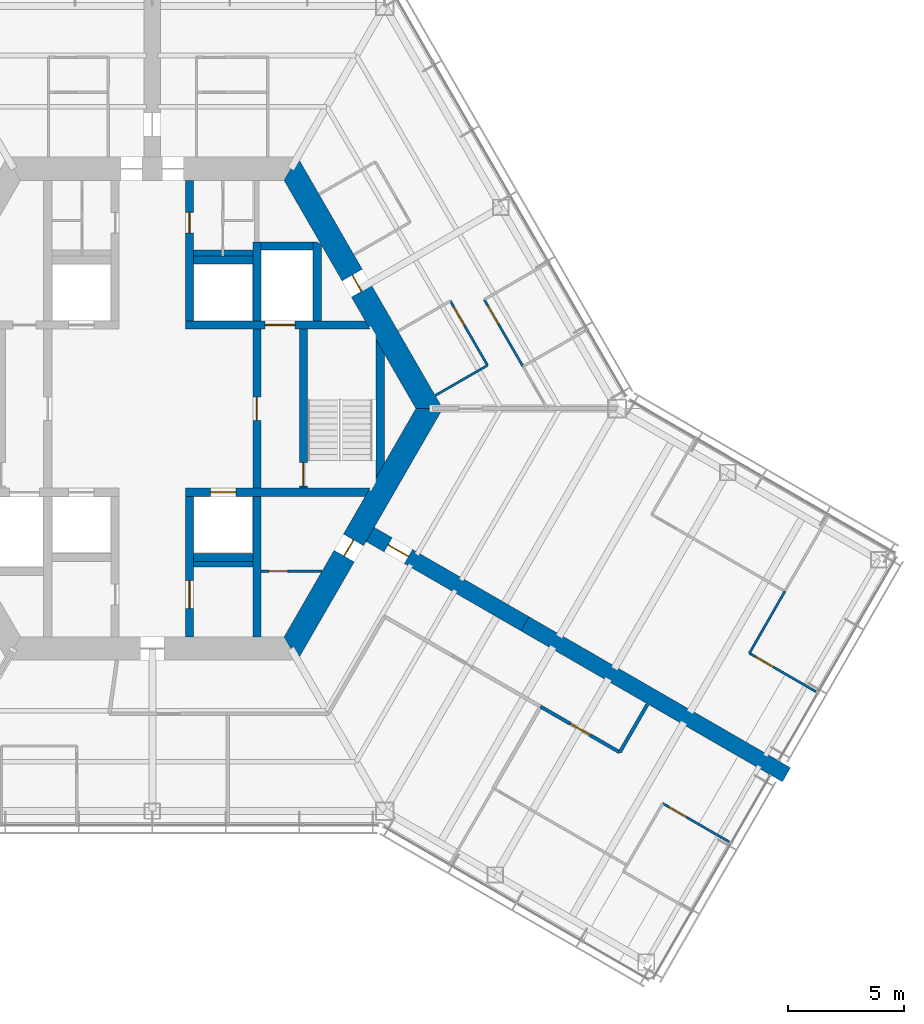
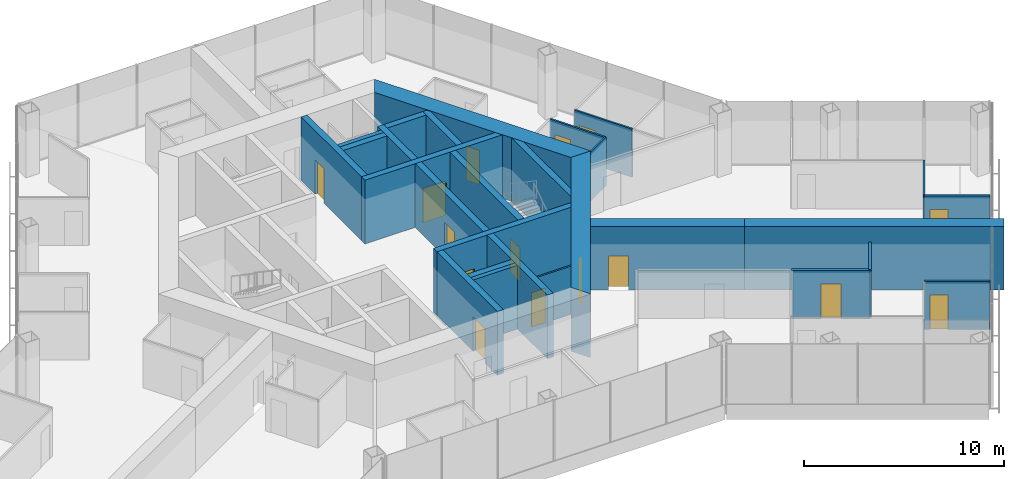
# One storey, part 13 of 18: 28 walls, 15 doors, 15 openings.
"""IFC4 building model written with IfcOpenShell, lengths in metres."""

from ifc_helpers import new_model, si_unit, direction, frame, frame_2d, origin, place, context, subcontext, project, spatial, polyline, rectangle, outline, extrude, material, layer, layer_set, type_object, element, fill, save


model = new_model("IFC4")

# Units and contexts
model_context = context("Model", 3, precision=1e-05, world=origin(), true_north=direction((0.0, 1.0)))
body_context = subcontext(model_context, "Body", "Model", "MODEL_VIEW")
ifc_project = project(units=[si_unit("LENGTHUNIT", "METRE"), si_unit("AREAUNIT", "SQUARE_METRE"), si_unit("VOLUMEUNIT", "CUBIC_METRE"), si_unit("PLANEANGLEUNIT", "RADIAN"), si_unit("MASSUNIT", "GRAM", prefix="KILO")], contexts=[model_context])

# Site, building, storey
site_placement = place(None, origin())
site = spatial("IfcSite", under=ifc_project, at=site_placement, CompositionType="ELEMENT")
building_placement = place(site_placement, origin())
building = spatial("IfcBuilding", under=site, at=building_placement, Name="Kasaneha Research Tower", CompositionType="ELEMENT")
storey_placement = place(building_placement, frame((0.0, 0.0, 172.10009765625)))
storey = spatial("IfcBuildingStorey", under=building, at=storey_placement, Name="L43", CompositionType="ELEMENT", Elevation=172.10009765625)

# Wall, opening, door
ifc_material_1 = material(Name="Concrete Fc70", Category="concrete")
ifc_layer_1 = layer(ifc_material_1, 0.35009765625)
ifc_layer_set_1 = layer_set([ifc_layer_1], Name="Core internal wall 350 Fc70")
wall_type_1 = type_object("IfcWallType", Name="Core internal wall 350 Fc70", PredefinedType="SHEAR", material=ifc_layer_set_1)
wall_1_placement = place(storey_placement, frame((1.425048828125, 3.60009765625, 0.0), z_axis=(0.0, 0.0, 1.0), x_axis=(1.0, 0.0, 0.0)))
wall_1 = element("IfcWall", 1, at=wall_1_placement, inside=storey, type_object=wall_type_1, Name="Core wall W1E L43", PredefinedType="SHEAR", context=body_context, shape_type="SweptSolid", body=[
    extrude(outline(polyline([(0.0, -0.175048828125), (3.425048828125, -0.175048828125), (4.72509765625, -0.175048828125), (7.9423828125, -0.175048828125), (7.740234375, 0.175048828125), (4.72509765625, 0.175048828125), (3.425048828125, 0.175048828125), (0.0, 0.175048828125), (0.0, -0.175048828125)])), origin(), (0.0, 0.0, 1.0), 3.89990234375),
])
opening_1_placement = place(wall_1_placement, frame((3.425048828125, 0.0, 0.0)))
opening_1 = element("IfcOpeningElement", 2, at=opening_1_placement, cuts=wall_1, Name="Opening LD-FL1-L43", PredefinedType="OPENING", context=body_context, shape_type="SweptSolid", body=[
    extrude(rectangle(XDim=1.300048828125, YDim=2.10009765625, at=frame_2d((0.64990234375, 1.050048828125))), frame((0.0, 0.18505859375, 0.0), z_axis=(0.0, -1.0, 0.0), x_axis=(1.0, 0.0, 0.0)), (0.0, 0.0, 1.0), 0.3701171875),
])
ifc_material_2 = material(Name="Steel", Category="steel")
door_type_1 = type_object("IfcDoorType", Name="Lift landing door 1300x2100", OperationType="DOUBLE_DOOR_SLIDING", PredefinedType="DOOR", material=ifc_material_2)
door_1_placement = place(opening_1_placement, origin())
door_1 = element("IfcDoor", 3, at=door_1_placement, inside=storey, type_object=door_type_1, Name="Landing door FL1 LD-FL1-L43", OperationType="DOUBLE_DOOR_SLIDING", OverallHeight=2.10009765625, OverallWidth=1.300048828125, PredefinedType="DOOR", context=body_context, shape_type="SweptSolid", body=[
    extrude(rectangle(XDim=1.300048828125, YDim=2.10009765625, at=frame_2d((0.64990234375, 1.050048828125))), frame((0.0, 0.02490234375, 0.0), z_axis=(0.0, -1.0, 0.0), x_axis=(1.0, 0.0, 0.0)), (0.0, 0.0, 1.0), 0.050048828125),
])
fill(opening_1, door_1)

wall_2_placement = place(storey_placement, frame((1.425048828125, -3.60009765625, 0.0), z_axis=(0.0, 0.0, 1.0), x_axis=(1.0, 0.0, 0.0)))
wall_2 = element("IfcWall", 4, at=wall_2_placement, inside=storey, type_object=wall_type_1, Name="Core wall W2E L43", PredefinedType="SHEAR", context=body_context, shape_type="SweptSolid", body=[
    extrude(outline(polyline([(0.0, -0.175048828125), (1.074951171875, -0.175048828125), (2.175048828125, -0.175048828125), (7.740234375, -0.175048828125), (7.9423828125, 0.175048828125), (2.175048828125, 0.175048828125), (1.074951171875, 0.175048828125), (0.0, 0.175048828125), (0.0, -0.175048828125)])), origin(), (0.0, 0.0, 1.0), 3.89990234375),
])
opening_2_placement = place(wall_2_placement, frame((1.074951171875, 0.0, 0.0)))
opening_2 = element("IfcOpeningElement", 5, at=opening_2_placement, cuts=wall_2, Name="Opening LD-LM2-L43", PredefinedType="OPENING", context=body_context, shape_type="SweptSolid", body=[
    extrude(rectangle(XDim=1.10009765625, YDim=2.10009765625, at=frame_2d((0.550048828125, 1.050048828125))), frame((0.0, 0.18505859375, 0.0), z_axis=(0.0, -1.0, 0.0), x_axis=(1.0, 0.0, 0.0)), (0.0, 0.0, 1.0), 0.3701171875),
])
ifc_material_3 = material(Name="Steel", Category="steel")
door_type_2 = type_object("IfcDoorType", Name="Lift landing door 1100x2100", OperationType="DOUBLE_DOOR_SLIDING", PredefinedType="DOOR", material=ifc_material_3)
door_2_placement = place(opening_2_placement, origin())
door_2 = element("IfcDoor", 6, at=door_2_placement, inside=storey, type_object=door_type_2, Name="Landing door LM2 LD-LM2-L43", OperationType="DOUBLE_DOOR_SLIDING", OverallHeight=2.10009765625, OverallWidth=1.10009765625, PredefinedType="DOOR", context=body_context, shape_type="SweptSolid", body=[
    extrude(rectangle(XDim=1.10009765625, YDim=2.10009765625, at=frame_2d((0.550048828125, 1.050048828125))), frame((0.0, 0.02490234375, 0.0), z_axis=(0.0, -1.0, 0.0), x_axis=(1.0, 0.0, 0.0)), (0.0, 0.0, 1.0), 0.050048828125),
])
fill(opening_2, door_2)

wall_3_placement = place(storey_placement, frame((1.60009765625, 3.77490234375, 0.0), z_axis=(0.0, 0.0, 1.0), x_axis=(0.0, 1.0, 0.0)))
wall_3 = element("IfcWall", 7, at=wall_3_placement, inside=storey, type_object=wall_type_1, Name="Core wall CNE L43", PredefinedType="SHEAR", context=body_context, shape_type="SweptSolid", body=[
    extrude(rectangle(XDim=6.050048828125, YDim=0.35009765625, at=frame_2d((3.02490234375, 0.0))), origin(), (0.0, 0.0, 1.0), 3.89990234375),
])
opening_3_placement = place(wall_3_placement, frame((3.77490234375, 0.0, 0.0)))
opening_3 = element("IfcOpeningElement", 8, at=opening_3_placement, cuts=wall_3, Name="Opening L43-D14", PredefinedType="OPENING", context=body_context, shape_type="SweptSolid", body=[
    extrude(rectangle(XDim=0.89990234375, YDim=2.10009765625, at=frame_2d((0.449951171875, 1.050048828125))), frame((0.0, 0.18505859375, 0.0), z_axis=(0.0, -1.0, 0.0), x_axis=(1.0, 0.0, 0.0)), (0.0, 0.0, 1.0), 0.3701171875),
])
ifc_material_4 = material(Name="Steel", Category="steel")
door_type_3 = type_object("IfcDoorType", Name="Toilet door FD20 900x2100", OperationType="NOTDEFINED", PredefinedType="DOOR", material=ifc_material_4)
door_3_placement = place(opening_3_placement, origin())
door_3 = element("IfcDoor", 9, at=door_3_placement, inside=storey, type_object=door_type_3, Name="Women's WC door L43-D14", OperationType="SINGLE_SWING_LEFT", OverallHeight=2.10009765625, OverallWidth=0.89990234375, PredefinedType="DOOR", context=body_context, shape_type="SweptSolid", body=[
    extrude(rectangle(XDim=0.89990234375, YDim=2.10009765625, at=frame_2d((0.449951171875, 1.050048828125))), frame((0.0, 0.02490234375, 0.0), z_axis=(0.0, -1.0, 0.0), x_axis=(1.0, 0.0, 0.0)), (0.0, 0.0, 1.0), 0.050048828125),
])
fill(opening_3, door_3)

wall_4_placement = place(storey_placement, frame((1.60009765625, -3.77490234375, 0.0), z_axis=(0.0, 0.0, 1.0), x_axis=(0.0, -1.0, 0.0)))
wall_4 = element("IfcWall", 10, at=wall_4_placement, inside=storey, type_object=wall_type_1, Name="Core wall CSE L43", PredefinedType="SHEAR", context=body_context, shape_type="SweptSolid", body=[
    extrude(rectangle(XDim=6.050048828125, YDim=0.35009765625, at=frame_2d((3.02490234375, 0.0))), origin(), (0.0, 0.0, 1.0), 3.89990234375),
])
opening_4_placement = place(wall_4_placement, frame((3.625, 0.0, 0.0)))
opening_4 = element("IfcOpeningElement", 11, at=opening_4_placement, cuts=wall_4, Name="Opening L43-D15", PredefinedType="OPENING", context=body_context, shape_type="SweptSolid", body=[
    extrude(rectangle(XDim=1.199951171875, YDim=2.10009765625, at=frame_2d((0.60009765625, 1.050048828125))), frame((0.0, 0.18505859375, 0.0), z_axis=(0.0, -1.0, 0.0), x_axis=(1.0, 0.0, 0.0)), (0.0, 0.0, 1.0), 0.3701171875),
])
ifc_material_5 = material(Name="Steel", Category="steel")
door_type_4 = type_object("IfcDoorType", Name="Accessible toilet sliding door FD20 1200x2100", OperationType="SLIDING_TO_LEFT", PredefinedType="DOOR", material=ifc_material_5)
door_4_placement = place(opening_4_placement, origin())
door_4 = element("IfcDoor", 12, at=door_4_placement, inside=storey, type_object=door_type_4, Name="Accessible WC door L43-D15", OperationType="SLIDING_TO_LEFT", OverallHeight=2.10009765625, OverallWidth=1.199951171875, PredefinedType="DOOR", context=body_context, shape_type="SweptSolid", body=[
    extrude(rectangle(XDim=1.199951171875, YDim=2.10009765625, at=frame_2d((0.60009765625, 1.050048828125))), frame((0.0, 0.02490234375, 0.0), z_axis=(0.0, -1.0, 0.0), x_axis=(1.0, 0.0, 0.0)), (0.0, 0.0, 1.0), 0.050048828125),
])
fill(opening_4, door_4)

wall_5_placement = place(storey_placement, frame((4.5, -3.425048828125, 0.0), z_axis=(0.0, 0.0, 1.0), x_axis=(0.0, 1.0, 0.0)))
wall_5 = element("IfcWall", 13, at=wall_5_placement, inside=storey, type_object=wall_type_1, Name="Core wall LBE L43", PredefinedType="SHEAR", context=body_context, shape_type="SweptSolid", body=[
    extrude(rectangle(XDim=6.85009765625, YDim=0.35009765625, at=frame_2d((3.425048828125, 0.0))), origin(), (0.0, 0.0, 1.0), 3.89990234375),
])
opening_5_placement = place(wall_5_placement, frame((2.925048828125, 0.0, 0.0)))
opening_5 = element("IfcOpeningElement", 14, at=opening_5_placement, cuts=wall_5, Name="Opening L43-D08", PredefinedType="OPENING", context=body_context, shape_type="SweptSolid", body=[
    extrude(rectangle(XDim=1.0, YDim=2.10009765625, at=frame_2d((0.5, 1.050048828125))), frame((0.0, 0.18505859375, 0.0), z_axis=(0.0, -1.0, 0.0), x_axis=(1.0, 0.0, 0.0)), (0.0, 0.0, 1.0), 0.3701171875),
])
ifc_material_6 = material(Name="Steel", Category="steel")
door_type_5 = type_object("IfcDoorType", Name="Specified fire door FD60 1000x2100", OperationType="NOTDEFINED", PredefinedType="DOOR", material=ifc_material_6)
door_5_placement = place(opening_5_placement, origin())
door_5 = element("IfcDoor", 15, at=door_5_placement, inside=storey, type_object=door_type_5, Name="Lift lobby door east L43-D08", OperationType="SINGLE_SWING_LEFT", OverallHeight=2.10009765625, OverallWidth=1.0, PredefinedType="DOOR", context=body_context, shape_type="SweptSolid", body=[
    extrude(rectangle(XDim=1.0, YDim=2.10009765625, at=frame_2d((0.5, 1.050048828125))), frame((0.0, 0.02490234375, 0.0), z_axis=(0.0, -1.0, 0.0), x_axis=(1.0, 0.0, 0.0)), (0.0, 0.0, 1.0), 0.050048828125),
])
fill(opening_5, door_5)

wall_6_placement = place(storey_placement, frame((6.5, -3.425048828125, 0.0), z_axis=(0.0, 0.0, 1.0), x_axis=(0.0, 1.0, 0.0)))
wall_6 = element("IfcWall", 16, at=wall_6_placement, inside=storey, type_object=wall_type_1, Name="Core wall ANE L43", PredefinedType="SHEAR", context=body_context, shape_type="SweptSolid", body=[
    extrude(rectangle(XDim=6.85009765625, YDim=0.35009765625, at=frame_2d((3.425048828125, 0.0))), origin(), (0.0, 0.0, 1.0), 3.89990234375),
])
opening_6_placement = place(wall_6_placement, frame((0.10009765625, 0.0, 0.0)))
opening_6 = element("IfcOpeningElement", 17, at=opening_6_placement, cuts=wall_6, Name="Opening L43-D10", PredefinedType="OPENING", context=body_context, shape_type="SweptSolid", body=[
    extrude(rectangle(XDim=1.0, YDim=2.10009765625, at=frame_2d((0.5, 1.050048828125))), frame((0.0, 0.18505859375, 0.0), z_axis=(0.0, -1.0, 0.0), x_axis=(1.0, 0.0, 0.0)), (0.0, 0.0, 1.0), 0.3701171875),
])
door_6_placement = place(opening_6_placement, origin())
door_6 = element("IfcDoor", 18, at=door_6_placement, inside=storey, type_object=door_type_5, Name="Stair 1 door L43-D10", OperationType="SINGLE_SWING_LEFT", OverallHeight=2.10009765625, OverallWidth=1.0, PredefinedType="DOOR", context=body_context, shape_type="SweptSolid", body=[
    extrude(rectangle(XDim=1.0, YDim=2.10009765625, at=frame_2d((0.5, 1.050048828125))), frame((0.0, 0.02490234375, 0.0), z_axis=(0.0, -1.0, 0.0), x_axis=(1.0, 0.0, 0.0)), (0.0, 0.0, 1.0), 0.050048828125),
])
fill(opening_6, door_6)

# Walls
wall_7_placement = place(storey_placement, frame((4.5, 3.77490234375, 0.0), z_axis=(0.0, 0.0, 1.0), x_axis=(0.0, 1.0, 0.0)))
element("IfcWall", 19, at=wall_7_placement, inside=storey, type_object=wall_type_1, Name="Core wall FNE L43", PredefinedType="SHEAR", context=body_context, shape_type="SweptSolid", body=[
    extrude(rectangle(XDim=3.400146484375, YDim=0.35009765625, at=frame_2d((1.7001953125, 0.0))), origin(), (0.0, 0.0, 1.0), 3.89990234375),
])
wall_8_placement = place(storey_placement, frame((4.5, -3.77490234375, 0.0), z_axis=(0.0, 0.0, 1.0), x_axis=(0.0, -1.0, 0.0)))
element("IfcWall", 20, at=wall_8_placement, inside=storey, type_object=wall_type_1, Name="Core wall SSE L43", PredefinedType="SHEAR", context=body_context, shape_type="SweptSolid", body=[
    extrude(rectangle(XDim=6.050048828125, YDim=0.35009765625, at=frame_2d((3.02490234375, 0.0))), origin(), (0.0, 0.0, 1.0), 3.89990234375),
])
for number, where, z_axis, x_axis, name in (
    (21, (1.77490234375, 6.39990234375, 0.0), (0.0, 0.0, 1.0), (1.0, 0.0, 0.0), "Core wall N3N L43"),
    (22, (1.77490234375, -6.39990234375, 0.0), (0.0, 0.0, 1.0), (1.0, 0.0, 0.0), "Core wall S3S L43"),
):
    element("IfcWall", number, at=place(storey_placement, frame(where, z_axis=z_axis, x_axis=x_axis)), inside=storey, type_object=wall_type_1, Name=name, PredefinedType="SHEAR", context=body_context, shape_type="SweptSolid", body=[
        extrude(rectangle(XDim=2.550048828125, YDim=0.35009765625, at=frame_2d((1.27490234375, 0.0))), origin(), (0.0, 0.0, 1.0), 3.89990234375),
    ])
wall_9_placement = place(storey_placement, frame((4.675048828125, 7.0, 0.0), z_axis=(0.0, 0.0, 1.0), x_axis=(1.0, 0.0, 0.0)))
element("IfcWall", 23, at=wall_9_placement, inside=storey, type_object=wall_type_1, Name="Core wall F1N L43", PredefinedType="SHEAR", context=body_context, shape_type="SweptSolid", body=[
    extrude(rectangle(XDim=2.25, YDim=0.35009765625, at=frame_2d((1.125, 0.0))), origin(), (0.0, 0.0, 1.0), 3.89990234375),
])
wall_10_placement = place(storey_placement, frame((7.10009765625, 3.77490234375, 0.0), z_axis=(0.0, 0.0, 1.0), x_axis=(0.0, 1.0, 0.0)))
element("IfcWall", 24, at=wall_10_placement, inside=storey, type_object=wall_type_1, Name="Core wall F1E L43", PredefinedType="SHEAR", context=body_context, shape_type="SweptSolid", body=[
    extrude(outline(polyline([(0.0, -0.175048828125), (3.2744140625, -0.175048828125), (3.400146484375, 0.0), (3.400146484375, 0.175048828125), (0.0, 0.175048828125), (0.0, -0.175048828125)])), origin(), (0.0, 0.0, 1.0), 3.89990234375),
])
wall_11_placement = place(storey_placement, frame((9.807861328125, -2.662353515625, 0.0), z_axis=(0.0, 0.0, 1.0), x_axis=(0.0, 1.0, 0.0)))
element("IfcWall", 25, at=wall_11_placement, inside=storey, type_object=wall_type_1, Name="Core wall STE L43", PredefinedType="SHEAR", context=body_context, shape_type="SweptSolid", body=[
    extrude(outline(polyline([(0.30322265625, -0.175048828125), (5.021484375, -0.175048828125), (5.6279296875, 0.175048828125), (-0.30322265625, 0.175048828125), (0.30322265625, -0.175048828125)])), origin(), (0.0, 0.0, 1.0), 3.89990234375),
])

# Wall, opening, door
ifc_material_7 = material(Name="Concrete Fc70", Category="concrete")
ifc_layer_2 = layer(ifc_material_7, 1.0)
ifc_layer_set_2 = layer_set([ifc_layer_2], Name="Core wall 1000 Fc70")
wall_type_2 = type_object("IfcWallType", Name="Core wall 1000 Fc70", PredefinedType="SHEAR", material=ifc_layer_set_2)
wall_12_placement = place(storey_placement, frame((11.92236328125, 0.0, 0.0), z_axis=(0.0, 0.0, 1.0), x_axis=(-0.500004296715, 0.866022923061, 0.0)))
wall_12 = element("IfcWall", 26, at=wall_12_placement, inside=storey, type_object=wall_type_2, Name="Core wall 030 L43", PredefinedType="SHEAR", context=body_context, shape_type="SweptSolid", body=[
    extrude(outline(polyline([(-0.28857421875, -0.5), (5.83544921875, -0.5), (6.635498046875, -0.5), (12.2109375, -0.5), (11.6337890625, 0.5), (6.635498046875, 0.5), (5.83544921875, 0.5), (0.28857421875, 0.5), (-0.28857421875, -0.5)])), origin(), (0.0, 0.0, 1.0), 3.89990234375),
])
opening_7_placement = place(wall_12_placement, frame((5.83544921875, 0.0, 0.0)))
opening_7 = element("IfcOpeningElement", 27, at=opening_7_placement, cuts=wall_12, Name="Opening L43-D04", PredefinedType="OPENING", context=body_context, shape_type="SweptSolid", body=[
    extrude(rectangle(XDim=0.800048828125, YDim=2.10009765625, at=frame_2d((0.39990234375, 1.050048828125))), frame((0.0, 0.510009765625, 0.0), z_axis=(0.0, -1.0, 0.0), x_axis=(1.0, 0.0, 0.0)), (0.0, 0.0, 1.0), 1.02001953125),
])
ifc_material_8 = material(Name="Steel", Category="steel")
door_type_6 = type_object("IfcDoorType", Name="Riser access door FD60 800x2100", OperationType="NOTDEFINED", PredefinedType="DOOR", material=ifc_material_8)
door_7_placement = place(opening_7_placement, origin())
door_7 = element("IfcDoor", 28, at=door_7_placement, inside=storey, type_object=door_type_6, Name="Pipe riser door L43-D04", OperationType="SINGLE_SWING_RIGHT", OverallHeight=2.10009765625, OverallWidth=0.800048828125, PredefinedType="DOOR", context=body_context, shape_type="SweptSolid", body=[
    extrude(rectangle(XDim=0.800048828125, YDim=2.10009765625, at=frame_2d((0.39990234375, 1.050048828125))), frame((0.0, 0.02490234375, 0.0), z_axis=(0.0, -1.0, 0.0), x_axis=(1.0, 0.0, 0.0)), (0.0, 0.0, 1.0), 0.050048828125),
])
fill(opening_7, door_7)

wall_13_placement = place(storey_placement, frame((5.961181640625, -10.324951171875, 0.0), z_axis=(0.0, 0.0, 1.0), x_axis=(0.500004296715, 0.866022923061, 0.0)))
wall_13 = element("IfcWall", 29, at=wall_13_placement, inside=storey, type_object=wall_type_2, Name="Core wall 330 L43", PredefinedType="SHEAR", context=body_context, shape_type="SweptSolid", body=[
    extrude(outline(polyline([(-0.28857421875, -0.5), (4.593994140625, -0.5), (5.39404296875, -0.5), (12.2109375, -0.5), (11.6337890625, 0.5), (5.39404296875, 0.5), (4.593994140625, 0.5), (0.28857421875, 0.5), (-0.28857421875, -0.5)])), origin(), (0.0, 0.0, 1.0), 3.89990234375),
])
opening_8_placement = place(wall_13_placement, frame((4.593994140625, 0.0, 0.0)))
opening_8 = element("IfcOpeningElement", 30, at=opening_8_placement, cuts=wall_13, Name="Opening L43-D05", PredefinedType="OPENING", context=body_context, shape_type="SweptSolid", body=[
    extrude(rectangle(XDim=0.800048828125, YDim=2.10009765625, at=frame_2d((0.39990234375, 1.050048828125))), frame((0.0, 0.510009765625, 0.0), z_axis=(0.0, -1.0, 0.0), x_axis=(1.0, 0.0, 0.0)), (0.0, 0.0, 1.0), 1.02001953125),
])
door_8_placement = place(opening_8_placement, origin())
door_8 = element("IfcDoor", 31, at=door_8_placement, inside=storey, type_object=door_type_6, Name="Pipe riser door L43-D05", OperationType="SINGLE_SWING_LEFT", OverallHeight=2.10009765625, OverallWidth=0.800048828125, PredefinedType="DOOR", context=body_context, shape_type="SweptSolid", body=[
    extrude(rectangle(XDim=0.800048828125, YDim=2.10009765625, at=frame_2d((0.39990234375, 1.050048828125))), frame((0.0, 0.02490234375, 0.0), z_axis=(0.0, -1.0, 0.0), x_axis=(1.0, 0.0, 0.0)), (0.0, 0.0, 1.0), 0.050048828125),
])
fill(opening_8, door_8)

ifc_material_9 = material(Name="Gypsum board on steel studs, one layer each side", Category="steel")
ifc_layer_3 = layer(ifc_material_9, 0.10009765625)
ifc_layer_set_3 = layer_set([ifc_layer_3], Name="Office partition 100")
wall_type_3 = type_object("IfcWallType", Name="Office partition 100", PredefinedType="PARTITIONING", material=ifc_layer_set_3)
wall_14_placement = place(storey_placement, frame((4.675048828125, -7.0, 0.0), z_axis=(0.0, 0.0, 1.0), x_axis=(1.0, 0.0, 0.0)))
wall_14 = element("IfcWall", 32, at=wall_14_placement, inside=storey, type_object=wall_type_3, Name="Office partition RS-SE L43", PredefinedType="PARTITIONING", context=body_context, shape_type="SweptSolid", body=[
    extrude(outline(polyline([(0.0, -0.050048828125), (0.35009765625, -0.050048828125), (1.150146484375, -0.050048828125), (2.599609375, -0.050048828125), (2.62841796875, 0.0), (2.63427734375, 0.050048828125), (1.150146484375, 0.050048828125), (0.35009765625, 0.050048828125), (0.0, 0.050048828125), (0.0, -0.050048828125)])), origin(), (0.0, 0.0, 1.0), 2.949951171875),
])
opening_9_placement = place(wall_14_placement, frame((0.35009765625, 0.0, 0.0)))
opening_9 = element("IfcOpeningElement", 33, at=opening_9_placement, cuts=wall_14, Name="Opening L43-D24", PredefinedType="OPENING", context=body_context, shape_type="SweptSolid", body=[
    extrude(rectangle(XDim=0.800048828125, YDim=2.10009765625, at=frame_2d((0.39990234375, 1.050048828125))), frame((0.0, 0.06005859375, 0.0), z_axis=(0.0, -1.0, 0.0), x_axis=(1.0, 0.0, 0.0)), (0.0, 0.0, 1.0), 0.1201171875),
])
door_9_placement = place(opening_9_placement, origin())
door_9 = element("IfcDoor", 34, at=door_9_placement, inside=storey, type_object=door_type_6, Name="Drainage riser door L43-D24", OperationType="SINGLE_SWING_LEFT", OverallHeight=2.10009765625, OverallWidth=0.800048828125, PredefinedType="DOOR", context=body_context, shape_type="SweptSolid", body=[
    extrude(rectangle(XDim=0.800048828125, YDim=2.10009765625, at=frame_2d((0.39990234375, 1.050048828125))), frame((0.0, 0.02490234375, 0.0), z_axis=(0.0, -1.0, 0.0), x_axis=(1.0, 0.0, 0.0)), (0.0, 0.0, 1.0), 0.050048828125),
])
fill(opening_9, door_9)

wall_15_placement = place(storey_placement, frame((12.826416015625, 4.634033203125, 0.0), z_axis=(0.0, 0.0, 1.0), x_axis=(0.500028443584, -0.866008981251, 0.0)))
wall_15 = element("IfcWall", 35, at=wall_15_placement, inside=storey, type_object=wall_type_3, Name="Office partition FAE11 L43", PredefinedType="PARTITIONING", context=body_context, shape_type="SweptSolid", body=[
    extrude(rectangle(XDim=3.199951171875, YDim=0.10009765625, at=frame_2d((1.60009765625, 0.0))), origin(), (0.0, 0.0, 1.0), 2.949951171875),
])
opening_10_placement = place(wall_15_placement, frame((0.300048828125, 0.0, 0.0)))
opening_10 = element("IfcOpeningElement", 36, at=opening_10_placement, cuts=wall_15, Name="Opening L43-D30", PredefinedType="OPENING", context=body_context, shape_type="SweptSolid", body=[
    extrude(rectangle(XDim=0.89990234375, YDim=2.10009765625, at=frame_2d((0.449951171875, 1.050048828125))), frame((0.0, 0.06005859375, 0.0), z_axis=(0.0, -1.0, 0.0), x_axis=(1.0, 0.0, 0.0)), (0.0, 0.0, 1.0), 0.1201171875),
])
ifc_material_10 = material(Name="Timber veneer", Category="wood")
door_type_7 = type_object("IfcDoorType", Name="Office door 900x2100", OperationType="SINGLE_SWING_LEFT", PredefinedType="DOOR", material=ifc_material_10)
door_10_placement = place(opening_10_placement, origin())
door_10 = element("IfcDoor", 37, at=door_10_placement, inside=storey, type_object=door_type_7, Name="Mail room door L43-D30", OperationType="SINGLE_SWING_LEFT", OverallHeight=2.10009765625, OverallWidth=0.89990234375, PredefinedType="DOOR", context=body_context, shape_type="SweptSolid", body=[
    extrude(rectangle(XDim=0.89990234375, YDim=2.10009765625, at=frame_2d((0.449951171875, 1.050048828125))), frame((0.0, 0.02490234375, 0.0), z_axis=(0.0, -1.0, 0.0), x_axis=(1.0, 0.0, 0.0)), (0.0, 0.0, 1.0), 0.050048828125),
])
fill(opening_10, door_10)

# Wall
wall_16_placement = place(storey_placement, frame((14.426513671875, 1.86279296875, 0.0), z_axis=(0.0, 0.0, 1.0), x_axis=(-0.866045356598, -0.49996543912, 0.0)))
element("IfcWall", 38, at=wall_16_placement, inside=storey, type_object=wall_type_3, Name="Office partition FAE12 L43", PredefinedType="PARTITIONING", context=body_context, shape_type="SweptSolid", body=[
    extrude(rectangle(XDim=2.580322265625, YDim=0.10009765625, at=frame_2d((1.2900390625, 0.0))), origin(), (0.0, 0.0, 1.0), 2.949951171875),
])

# Wall, opening, door
wall_17_placement = place(storey_placement, frame((15.956298828125, 1.812744140625, 0.0), z_axis=(0.0, 0.0, 1.0), x_axis=(-0.501111387448, 0.865382792393, 0.0)))
wall_17 = element("IfcWall", 39, at=wall_17_placement, inside=storey, type_object=wall_type_3, Name="Office partition FAE15 L43", PredefinedType="PARTITIONING", context=body_context, shape_type="SweptSolid", body=[
    extrude(rectangle(XDim=3.3310546875, YDim=0.10009765625, at=frame_2d((1.66552734375, 0.0))), origin(), (0.0, 0.0, 1.0), 2.949951171875),
])
opening_11_placement = place(wall_17_placement, frame((2.130859375, 0.0, 0.0)))
opening_11 = element("IfcOpeningElement", 40, at=opening_11_placement, cuts=wall_17, Name="Opening L43-D31", PredefinedType="OPENING", context=body_context, shape_type="SweptSolid", body=[
    extrude(rectangle(XDim=0.89990234375, YDim=2.10009765625, at=frame_2d((0.449951171875, 1.050048828125))), frame((0.0, 0.06005859375, 0.0), z_axis=(0.0, -1.0, 0.0), x_axis=(1.0, 0.0, 0.0)), (0.0, 0.0, 1.0), 0.1201171875),
])
door_11_placement = place(opening_11_placement, origin())
door_11 = element("IfcDoor", 41, at=door_11_placement, inside=storey, type_object=door_type_7, Name="Workroom door L43-D31", OperationType="SINGLE_SWING_RIGHT", OverallHeight=2.10009765625, OverallWidth=0.89990234375, PredefinedType="DOOR", context=body_context, shape_type="SweptSolid", body=[
    extrude(rectangle(XDim=0.89990234375, YDim=2.10009765625, at=frame_2d((0.449951171875, 1.050048828125))), frame((0.0, 0.02490234375, 0.0), z_axis=(0.0, -1.0, 0.0), x_axis=(1.0, 0.0, 0.0)), (0.0, 0.0, 1.0), 0.050048828125),
])
fill(opening_11, door_11)

# Wall
wall_18_placement = place(storey_placement, frame((25.7001953125, -10.527099609375, 0.0), z_axis=(0.0, 0.0, 1.0), x_axis=(0.497097650811, 0.867694603855, 0.0)))
element("IfcWall", 42, at=wall_18_placement, inside=storey, type_object=wall_type_3, Name="Office partition FCE04 L43", PredefinedType="PARTITIONING", context=body_context, shape_type="SweptSolid", body=[
    extrude(rectangle(XDim=3.070556640625, YDim=0.10009765625, at=frame_2d((1.53515625, 0.0))), origin(), (0.0, 0.0, 1.0), 2.949951171875),
])

# Wall, opening, door
wall_19_placement = place(storey_placement, frame((28.5625, -12.1796875, 0.0), z_axis=(0.0, 0.0, 1.0), x_axis=(-0.866020751647, 0.500008057651, 0.0)))
wall_19 = element("IfcWall", 43, at=wall_19_placement, inside=storey, type_object=wall_type_3, Name="Office partition FCE05 L43", PredefinedType="PARTITIONING", context=body_context, shape_type="SweptSolid", body=[
    extrude(rectangle(XDim=3.30517578125, YDim=0.10009765625, at=frame_2d((1.652587890625, 0.0))), origin(), (0.0, 0.0, 1.0), 2.949951171875),
])
opening_12_placement = place(wall_19_placement, frame((2.10498046875, 0.0, 0.0)))
opening_12 = element("IfcOpeningElement", 44, at=opening_12_placement, cuts=wall_19, Name="Opening L43-D43", PredefinedType="OPENING", context=body_context, shape_type="SweptSolid", body=[
    extrude(rectangle(XDim=0.89990234375, YDim=2.10009765625, at=frame_2d((0.449951171875, 1.050048828125))), frame((0.0, 0.06005859375, 0.0), z_axis=(0.0, -1.0, 0.0), x_axis=(1.0, 0.0, 0.0)), (0.0, 0.0, 1.0), 0.1201171875),
])
door_12_placement = place(opening_12_placement, origin())
door_12 = element("IfcDoor", 45, at=door_12_placement, inside=storey, type_object=door_type_7, Name="Meeting room door L43-D43", OperationType="SINGLE_SWING_RIGHT", OverallHeight=2.10009765625, OverallWidth=0.89990234375, PredefinedType="DOOR", context=body_context, shape_type="SweptSolid", body=[
    extrude(rectangle(XDim=0.89990234375, YDim=2.10009765625, at=frame_2d((0.449951171875, 1.050048828125))), frame((0.0, 0.02490234375, 0.0), z_axis=(0.0, -1.0, 0.0), x_axis=(1.0, 0.0, 0.0)), (0.0, 0.0, 1.0), 0.050048828125),
])
fill(opening_12, door_12)

wall_20_placement = place(storey_placement, frame((21.966796875, -16.993408203125, 0.0), z_axis=(0.0, 0.0, 1.0), x_axis=(0.866020751647, -0.500008057651, 0.0)))
wall_20 = element("IfcWall", 46, at=wall_20_placement, inside=storey, type_object=wall_type_3, Name="Office partition FCS16 L43", PredefinedType="PARTITIONING", context=body_context, shape_type="SweptSolid", body=[
    extrude(rectangle(XDim=3.30517578125, YDim=0.10009765625, at=frame_2d((1.652587890625, 0.0))), origin(), (0.0, 0.0, 1.0), 2.949951171875),
])
opening_13_placement = place(wall_20_placement, frame((0.300048828125, 0.0, 0.0)))
opening_13 = element("IfcOpeningElement", 47, at=opening_13_placement, cuts=wall_20, Name="Opening L43-D49", PredefinedType="OPENING", context=body_context, shape_type="SweptSolid", body=[
    extrude(rectangle(XDim=0.89990234375, YDim=2.10009765625, at=frame_2d((0.449951171875, 1.050048828125))), frame((0.0, 0.06005859375, 0.0), z_axis=(0.0, -1.0, 0.0), x_axis=(1.0, 0.0, 0.0)), (0.0, 0.0, 1.0), 0.1201171875),
])
door_13_placement = place(opening_13_placement, origin())
door_13 = element("IfcDoor", 48, at=door_13_placement, inside=storey, type_object=door_type_7, Name="Meeting room door L43-D49", OperationType="SINGLE_SWING_LEFT", OverallHeight=2.10009765625, OverallWidth=0.89990234375, PredefinedType="DOOR", context=body_context, shape_type="SweptSolid", body=[
    extrude(rectangle(XDim=0.89990234375, YDim=2.10009765625, at=frame_2d((0.449951171875, 1.050048828125))), frame((0.0, 0.02490234375, 0.0), z_axis=(0.0, -1.0, 0.0), x_axis=(1.0, 0.0, 0.0)), (0.0, 0.0, 1.0), 0.050048828125),
])
fill(opening_13, door_13)

ifc_material_11 = material(Name="Concrete Fc70", Category="concrete")
ifc_layer_4 = layer(ifc_material_11, 0.699951171875)
ifc_layer_set_4 = layer_set([ifc_layer_4], Name="Spine wall 700 Fc70")
wall_type_4 = type_object("IfcWallType", Name="Spine wall 700 Fc70", PredefinedType="SHEAR", material=ifc_layer_set_4)
wall_21_placement = place(storey_placement, frame((9.374755859375, -5.41259765625, 0.0), z_axis=(0.0, 0.0, 1.0), x_axis=(0.866032377459, -0.499987921047, 0.0)))
wall_21 = element("IfcWall", 49, at=wall_21_placement, inside=storey, type_object=wall_type_4, Name="Spine wall C L43", PredefinedType="SHEAR", context=body_context, shape_type="SweptSolid", body=[
    extrude(rectangle(XDim=7.695556640625, YDim=0.699951171875, at=frame_2d((3.84765625, 0.0))), origin(), (0.0, 0.0, 1.0), 3.89990234375),
])
opening_14_placement = place(wall_21_placement, frame((0.89990234375, 0.0, 0.0)))
opening_14 = element("IfcOpeningElement", 50, at=opening_14_placement, cuts=wall_21, Name="Opening L43-D19", PredefinedType="OPENING", context=body_context, shape_type="SweptSolid", body=[
    extrude(rectangle(XDim=1.0, YDim=2.10009765625, at=frame_2d((0.5, 1.050048828125))), frame((0.0, 0.35986328125, 0.0), z_axis=(0.0, -1.0, 0.0), x_axis=(1.0, 0.0, 0.0)), (0.0, 0.0, 1.0), 0.719970703125),
])
door_14_placement = place(opening_14_placement, origin())
door_14 = element("IfcDoor", 51, at=door_14_placement, inside=storey, type_object=door_type_5, Name="Spine doorway C L43-D19", OperationType="SINGLE_SWING_LEFT", OverallHeight=2.10009765625, OverallWidth=1.0, PredefinedType="DOOR", context=body_context, shape_type="SweptSolid", body=[
    extrude(rectangle(XDim=1.0, YDim=2.10009765625, at=frame_2d((0.5, 1.050048828125))), frame((0.0, 0.02490234375, 0.0), z_axis=(0.0, -1.0, 0.0), x_axis=(1.0, 0.0, 0.0)), (0.0, 0.0, 1.0), 0.050048828125),
])
fill(opening_14, door_14)

# Wall
wall_22_placement = place(storey_placement, frame((16.039306640625, -9.26025390625, 0.0), z_axis=(0.0, 0.0, 1.0), x_axis=(0.866024837091, -0.50000098154, 0.0)))
element("IfcWall", 52, at=wall_22_placement, inside=storey, type_object=wall_type_4, Name="Spine wall C wing L43", PredefinedType="SHEAR", context=body_context, shape_type="SweptSolid", body=[
    extrude(rectangle(XDim=13.0, YDim=0.699951171875, at=frame_2d((6.5, 0.0))), origin(), (0.0, 0.0, 1.0), 3.89990234375),
])

# Wall, opening, door
ifc_material_12 = material(Name="Gypsum board on steel studs, two layers each side", Category="steel")
ifc_layer_5 = layer(ifc_material_12, 0.14990234375)
ifc_layer_set_5 = layer_set([ifc_layer_5], Name="Suite partition 150")
wall_type_5 = type_object("IfcWallType", Name="Suite partition 150", PredefinedType="PARTITIONING", material=ifc_layer_set_5)
wall_23_placement = place(storey_placement, frame((20.1201171875, -14.791748046875, 0.0), z_axis=(0.0, 0.0, 1.0), x_axis=(-0.866038848349, 0.499976712608, 0.0)))
wall_23 = element("IfcWall", 53, at=wall_23_placement, inside=storey, type_object=wall_type_5, Name="Suite partition FCS06 L43", PredefinedType="PARTITIONING", context=body_context, shape_type="SweptSolid", body=[
    extrude(rectangle(XDim=3.934326171875, YDim=0.14990234375, at=frame_2d((1.96728515625, 0.0))), origin(), (0.0, 0.0, 1.0), 2.949951171875),
])
opening_15_placement = place(wall_23_placement, frame((1.467041015625, 0.0, 0.0)))
opening_15 = element("IfcOpeningElement", 54, at=opening_15_placement, cuts=wall_23, Name="Opening L43-D46", PredefinedType="OPENING", context=body_context, shape_type="SweptSolid", body=[
    extrude(rectangle(XDim=1.0, YDim=2.10009765625, at=frame_2d((0.5, 1.050048828125))), frame((0.0, 0.0849609375, 0.0), z_axis=(0.0, -1.0, 0.0), x_axis=(1.0, 0.0, 0.0)), (0.0, 0.0, 1.0), 0.169921875),
])
ifc_material_13 = material(Name="Steel", Category="steel")
door_type_8 = type_object("IfcDoorType", Name="Suite entrance door FD60 1000x2100", OperationType="NOTDEFINED", PredefinedType="DOOR", material=ifc_material_13)
door_15_placement = place(opening_15_placement, origin())
door_15 = element("IfcDoor", 55, at=door_15_placement, inside=storey, type_object=door_type_8, Name="Suite entrance door L43-D46", OperationType="SINGLE_SWING_LEFT", OverallHeight=2.10009765625, OverallWidth=1.0, PredefinedType="DOOR", context=body_context, shape_type="SweptSolid", body=[
    extrude(rectangle(XDim=1.0, YDim=2.10009765625, at=frame_2d((0.5, 1.050048828125))), frame((0.0, 0.02490234375, 0.0), z_axis=(0.0, -1.0, 0.0), x_axis=(1.0, 0.0, 0.0)), (0.0, 0.0, 1.0), 0.050048828125),
])
fill(opening_15, door_15)

# Walls
wall_24_placement = place(storey_placement, frame((21.310302734375, -12.730712890625, 0.0), z_axis=(0.0, 0.0, 1.0), x_axis=(-0.500077627542, -0.865980580863, 0.0)))
element("IfcWall", 56, at=wall_24_placement, inside=storey, type_object=wall_type_5, Name="Suite partition FCS07 L43", PredefinedType="PARTITIONING", context=body_context, shape_type="SweptSolid", body=[
    extrude(rectangle(XDim=2.3798828125, YDim=0.14990234375, at=frame_2d((1.18994140625, 0.0))), origin(), (0.0, 0.0, 1.0), 2.949951171875),
])
ifc_material_14 = material(Name="Concrete block lining", Category="concrete")
ifc_layer_6 = layer(ifc_material_14, 0.25)
ifc_layer_set_6 = layer_set([ifc_layer_6], Name="WC plumbing wall 250")
wall_type_6 = type_object("IfcWallType", Name="WC plumbing wall 250", PredefinedType="PLUMBINGWALL", material=ifc_layer_set_6)
for number, where, z_axis, x_axis, name in (
    (57, (1.77490234375, 6.699951171875, 0.0), (0.0, 0.0, 1.0), (1.0, 0.0, 0.0), "WC plumbing wall F L43"),
    (58, (1.77490234375, -6.699951171875, 0.0), (0.0, 0.0, 1.0), (1.0, 0.0, 0.0), "WC plumbing wall A L43"),
):
    element("IfcWall", number, at=place(storey_placement, frame(where, z_axis=z_axis, x_axis=x_axis)), inside=storey, type_object=wall_type_6, Name=name, PredefinedType="PLUMBINGWALL", context=body_context, shape_type="SweptSolid", body=[
        extrude(rectangle(XDim=2.550048828125, YDim=0.25, at=frame_2d((1.27490234375, 0.0))), origin(), (0.0, 0.0, 1.0), 3.89990234375),
    ])

save(model, "model.ifc")
